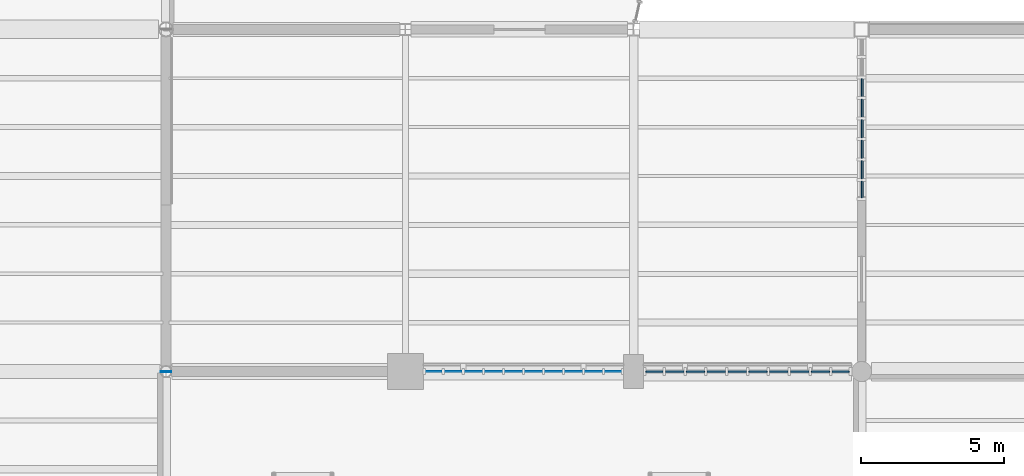
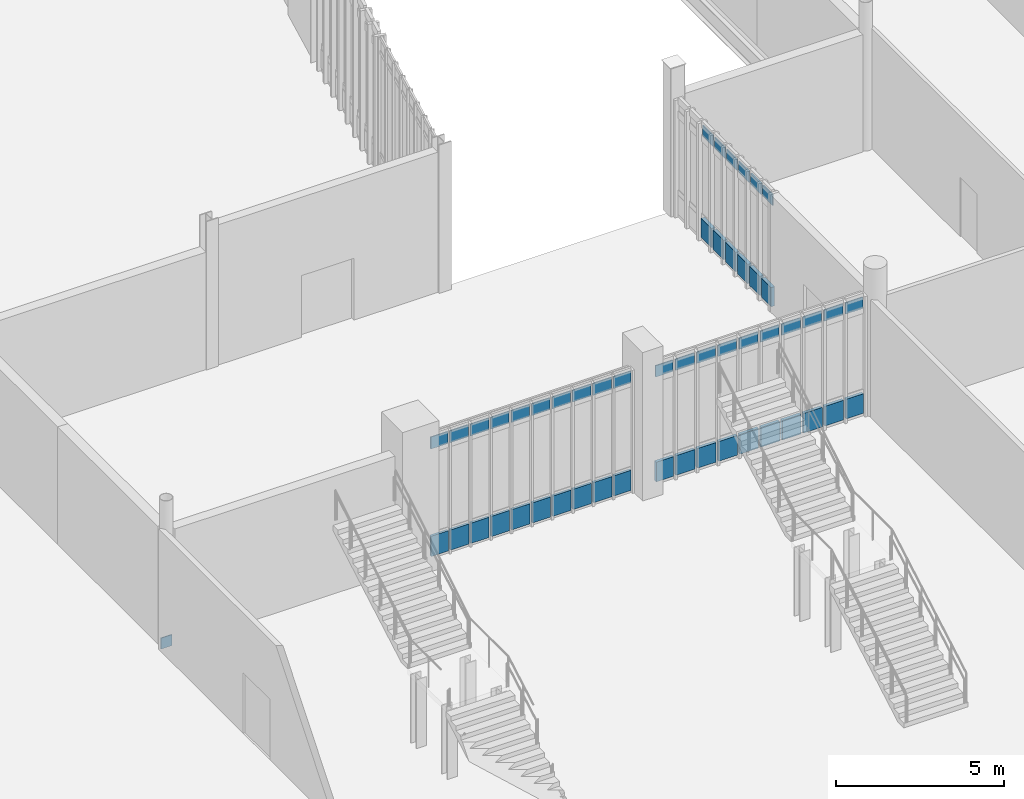
# One storey, part 76 of 111: 53 plates, 3 elements without a shape of their own.
"""IFC4 building model written with IfcOpenShell, lengths in metres."""

from ifc_helpers import new_model, si_unit, direction, frame, origin, origin_2d, place, context, subcontext, project, spatial, rectangle, extrude, material, layer, layer_set, type_object, element, aggregate, save


model = new_model("IFC4")

# Units and contexts
model_context = context("Model", 3, precision=1e-05, world=origin(), true_north=direction((0.0, 1.0)))
body_context = subcontext(model_context, "Body", "Model", "MODEL_VIEW")
ifc_project = project(units=[si_unit("LENGTHUNIT", "METRE"), si_unit("AREAUNIT", "SQUARE_METRE"), si_unit("VOLUMEUNIT", "CUBIC_METRE"), si_unit("PLANEANGLEUNIT", "RADIAN"), si_unit("MASSUNIT", "GRAM", prefix="KILO")], contexts=[model_context])

# Site, building, storey
site_placement = place(None, origin())
site = spatial("IfcSite", under=ifc_project, at=site_placement, CompositionType="ELEMENT")
building_placement = place(site_placement, origin())
building = spatial("IfcBuilding", under=site, at=building_placement, Name="Larkvane Passage Sports Hall", CompositionType="ELEMENT")
storey_placement = place(building_placement, origin())
storey = spatial("IfcBuildingStorey", under=building, at=storey_placement, Name="L00", CompositionType="ELEMENT", Elevation=0.0)

# Curtain wall, plates
ifc_material_1 = material(Name="Thermally broken aluminium and low-E glazing", Category="aluminium")
curtain_wall_type_1 = type_object("IfcCurtainWallType", Name="CW-STICK-FOYER", PredefinedType="USERDEFINED", material=ifc_material_1)
curtain_wall_1_placement = place(storey_placement, origin())
curtain_wall_1 = element("IfcCurtainWall", 1, at=curtain_wall_1_placement, inside=storey, type_object=curtain_wall_type_1, Name="Curtain wall CW5-L00-018", ObjectType="STICK CURTAIN WALL", PredefinedType="USERDEFINED")
ifc_material_2 = material(Name="Fire-stopped shadow-box spandrel panel")
ifc_layer_1 = layer(ifc_material_2, 0.10498046875)
ifc_layer_set_1 = layer_set([ifc_layer_1], Name="Fire-stopped shadow-box spandrel panel")
plate_type_1 = type_object("IfcPlateType", Name="CWP-SPD-105", PredefinedType="CURTAIN_PANEL", material=ifc_layer_set_1)
plate_1_placement = place(storey_placement, frame((110.73388671875, 51.60009765625, 0.08984375), z_axis=(0.0, 0.0, 1.0), x_axis=(1.0, 0.0, 0.0)))
plate_1 = element("IfcPlate", 2, at=plate_1_placement, type_object=plate_type_1, Name="CW-03 panel 1.1", PredefinedType="CURTAIN_PANEL", context=body_context, shape_type="SweptSolid", body=[
    extrude(rectangle(XDim=0.595703125, YDim=0.10498046875, at=origin_2d()), origin(), (0.0, 0.0, 1.0), 0.715087890625),
])
plate_2_placement = place(storey_placement, frame((111.442138671875, 51.60009765625, 0.08984375), z_axis=(0.0, 0.0, 1.0), x_axis=(1.0, 0.0, 0.0)))
plate_2 = element("IfcPlate", 3, at=plate_2_placement, type_object=plate_type_1, Name="CW-03 panel 2.1", PredefinedType="CURTAIN_PANEL", context=body_context, shape_type="SweptSolid", body=[
    extrude(rectangle(XDim=0.640869140625, YDim=0.10498046875, at=origin_2d()), origin(), (0.0, 0.0, 1.0), 0.715087890625),
])
plate_3_placement = place(storey_placement, frame((112.173095703125, 51.60009765625, 0.08984375), z_axis=(0.0, 0.0, 1.0), x_axis=(1.0, 0.0, 0.0)))
plate_3 = element("IfcPlate", 4, at=plate_3_placement, type_object=plate_type_1, Name="CW-03 panel 3.1", PredefinedType="CURTAIN_PANEL", context=body_context, shape_type="SweptSolid", body=[
    extrude(rectangle(XDim=0.640869140625, YDim=0.10498046875, at=origin_2d()), origin(), (0.0, 0.0, 1.0), 0.715087890625),
])
plate_4_placement = place(storey_placement, frame((112.90380859375, 51.60009765625, 0.08984375), z_axis=(0.0, 0.0, 1.0), x_axis=(1.0, 0.0, 0.0)))
plate_4 = element("IfcPlate", 5, at=plate_4_placement, type_object=plate_type_1, Name="CW-03 panel 4.1", PredefinedType="CURTAIN_PANEL", context=body_context, shape_type="SweptSolid", body=[
    extrude(rectangle(XDim=0.640869140625, YDim=0.10498046875, at=origin_2d()), origin(), (0.0, 0.0, 1.0), 0.715087890625),
])
plate_5_placement = place(storey_placement, frame((113.634521484375, 51.60009765625, 0.08984375), z_axis=(0.0, 0.0, 1.0), x_axis=(1.0, 0.0, 0.0)))
plate_5 = element("IfcPlate", 6, at=plate_5_placement, type_object=plate_type_1, Name="CW-03 panel 5.1", PredefinedType="CURTAIN_PANEL", context=body_context, shape_type="SweptSolid", body=[
    extrude(rectangle(XDim=0.640869140625, YDim=0.10498046875, at=origin_2d()), origin(), (0.0, 0.0, 1.0), 0.715087890625),
])
plate_6_placement = place(storey_placement, frame((114.365478515625, 51.60009765625, 0.08984375), z_axis=(0.0, 0.0, 1.0), x_axis=(1.0, 0.0, 0.0)))
plate_6 = element("IfcPlate", 7, at=plate_6_placement, type_object=plate_type_1, Name="CW-03 panel 6.1", PredefinedType="CURTAIN_PANEL", context=body_context, shape_type="SweptSolid", body=[
    extrude(rectangle(XDim=0.640869140625, YDim=0.10498046875, at=origin_2d()), origin(), (0.0, 0.0, 1.0), 0.715087890625),
])
plate_7_placement = place(storey_placement, frame((115.09619140625, 51.60009765625, 0.08984375), z_axis=(0.0, 0.0, 1.0), x_axis=(1.0, 0.0, 0.0)))
plate_7 = element("IfcPlate", 8, at=plate_7_placement, type_object=plate_type_1, Name="CW-03 panel 7.1", PredefinedType="CURTAIN_PANEL", context=body_context, shape_type="SweptSolid", body=[
    extrude(rectangle(XDim=0.640869140625, YDim=0.10498046875, at=origin_2d()), origin(), (0.0, 0.0, 1.0), 0.715087890625),
])
plate_8_placement = place(storey_placement, frame((115.826904296875, 51.60009765625, 0.08984375), z_axis=(0.0, 0.0, 1.0), x_axis=(1.0, 0.0, 0.0)))
plate_8 = element("IfcPlate", 9, at=plate_8_placement, type_object=plate_type_1, Name="CW-03 panel 8.1", PredefinedType="CURTAIN_PANEL", context=body_context, shape_type="SweptSolid", body=[
    extrude(rectangle(XDim=0.640869140625, YDim=0.10498046875, at=origin_2d()), origin(), (0.0, 0.0, 1.0), 0.715087890625),
])
plate_9_placement = place(storey_placement, frame((116.557861328125, 51.60009765625, 0.08984375), z_axis=(0.0, 0.0, 1.0), x_axis=(1.0, 0.0, 0.0)))
plate_9 = element("IfcPlate", 10, at=plate_9_placement, type_object=plate_type_1, Name="CW-03 panel 9.1", PredefinedType="CURTAIN_PANEL", context=body_context, shape_type="SweptSolid", body=[
    extrude(rectangle(XDim=0.640869140625, YDim=0.10498046875, at=origin_2d()), origin(), (0.0, 0.0, 1.0), 0.715087890625),
])
plate_10_placement = place(storey_placement, frame((117.26611328125, 51.60009765625, 0.08984375), z_axis=(0.0, 0.0, 1.0), x_axis=(1.0, 0.0, 0.0)))
plate_10 = element("IfcPlate", 11, at=plate_10_placement, type_object=plate_type_1, Name="CW-03 panel 10.1", PredefinedType="CURTAIN_PANEL", context=body_context, shape_type="SweptSolid", body=[
    extrude(rectangle(XDim=0.595703125, YDim=0.10498046875, at=origin_2d()), origin(), (0.0, 0.0, 1.0), 0.715087890625),
])

curtain_wall_type_2 = type_object("IfcCurtainWallType", Name="CW-CLINIC", PredefinedType="USERDEFINED", material=ifc_material_1)
curtain_wall_2_placement = place(storey_placement, origin())
curtain_wall_2 = element("IfcCurtainWall", 12, at=curtain_wall_2_placement, inside=storey, type_object=curtain_wall_type_2, Name="Curtain wall CW5-L00-019", ObjectType="UNITISED CURTAIN WALL", PredefinedType="USERDEFINED")
ifc_material_3 = material(Name="Deep insulated facade spandrel panel")
ifc_layer_2 = layer(ifc_material_3, 0.125)
ifc_layer_set_2 = layer_set([ifc_layer_2], Name="Deep insulated facade spandrel panel")
plate_type_2 = type_object("IfcPlateType", Name="CWP-SPD-125", PredefinedType="CURTAIN_PANEL", material=ifc_layer_set_2)
plate_11_placement = place(storey_placement, frame((118.0, 57.984619140625, 0.10009765625), z_axis=(0.0, 0.0, 1.0), x_axis=(0.0, 1.0, 0.0)))
plate_11 = element("IfcPlate", 13, at=plate_11_placement, type_object=plate_type_2, Name="CW-05 panel 1.1", PredefinedType="CURTAIN_PANEL", context=body_context, shape_type="SweptSolid", body=[
    extrude(rectangle(XDim=0.5693359375, YDim=0.125, at=origin_2d()), origin(), (0.0, 0.0, 1.0), 0.699951171875),
])
plate_12_placement = place(storey_placement, frame((118.0, 58.678955078125, 0.10009765625), z_axis=(0.0, 0.0, 1.0), x_axis=(0.0, 1.0, 0.0)))
plate_12 = element("IfcPlate", 14, at=plate_12_placement, type_object=plate_type_2, Name="CW-05 panel 2.1", PredefinedType="CURTAIN_PANEL", context=body_context, shape_type="SweptSolid", body=[
    extrude(rectangle(XDim=0.619140625, YDim=0.125, at=origin_2d()), origin(), (0.0, 0.0, 1.0), 0.699951171875),
])
plate_13_placement = place(storey_placement, frame((118.0, 59.398193359375, 0.10009765625), z_axis=(0.0, 0.0, 1.0), x_axis=(0.0, 1.0, 0.0)))
plate_13 = element("IfcPlate", 15, at=plate_13_placement, type_object=plate_type_2, Name="CW-05 panel 3.1", PredefinedType="CURTAIN_PANEL", context=body_context, shape_type="SweptSolid", body=[
    extrude(rectangle(XDim=0.619140625, YDim=0.125, at=origin_2d()), origin(), (0.0, 0.0, 1.0), 0.699951171875),
])
plate_14_placement = place(storey_placement, frame((118.0, 60.117431640625, 0.10009765625), z_axis=(0.0, 0.0, 1.0), x_axis=(0.0, 1.0, 0.0)))
plate_14 = element("IfcPlate", 16, at=plate_14_placement, type_object=plate_type_2, Name="CW-05 panel 4.1", PredefinedType="CURTAIN_PANEL", context=body_context, shape_type="SweptSolid", body=[
    extrude(rectangle(XDim=0.619140625, YDim=0.125, at=origin_2d()), origin(), (0.0, 0.0, 1.0), 0.699951171875),
])
plate_15_placement = place(storey_placement, frame((118.0, 60.836669921875, 0.10009765625), z_axis=(0.0, 0.0, 1.0), x_axis=(0.0, 1.0, 0.0)))
plate_15 = element("IfcPlate", 17, at=plate_15_placement, type_object=plate_type_2, Name="CW-05 panel 5.1", PredefinedType="CURTAIN_PANEL", context=body_context, shape_type="SweptSolid", body=[
    extrude(rectangle(XDim=0.619140625, YDim=0.125, at=origin_2d()), origin(), (0.0, 0.0, 1.0), 0.699951171875),
])
plate_16_placement = place(storey_placement, frame((118.0, 61.555908203125, 0.10009765625), z_axis=(0.0, 0.0, 1.0), x_axis=(0.0, 1.0, 0.0)))
plate_16 = element("IfcPlate", 18, at=plate_16_placement, type_object=plate_type_2, Name="CW-05 panel 6.1", PredefinedType="CURTAIN_PANEL", context=body_context, shape_type="SweptSolid", body=[
    extrude(rectangle(XDim=0.619140625, YDim=0.125, at=origin_2d()), origin(), (0.0, 0.0, 1.0), 0.699951171875),
])

curtain_wall_type_3 = type_object("IfcCurtainWallType", Name="CW-UNIT-VEIL", PredefinedType="USERDEFINED", material=ifc_material_1)
curtain_wall_3_placement = place(storey_placement, origin())
curtain_wall_3 = element("IfcCurtainWall", 19, at=curtain_wall_3_placement, inside=storey, type_object=curtain_wall_type_3, Name="Curtain wall CW5-L00-017", ObjectType="UNITISED CURTAIN WALL", PredefinedType="USERDEFINED")
ifc_material_4 = material(Name="Mineral-wool insulated spandrel cassette")
ifc_layer_3 = layer(ifc_material_4, 0.0849609375)
ifc_layer_set_3 = layer_set([ifc_layer_3], Name="Mineral-wool insulated spandrel cassette")
plate_type_3 = type_object("IfcPlateType", Name="CWP-SPD-85", PredefinedType="CURTAIN_PANEL", material=ifc_layer_set_3)
plate_17_placement = place(storey_placement, frame((102.991455078125, 51.60009765625, 0.0751953125), z_axis=(0.0, 0.0, 1.0), x_axis=(1.0, 0.0, 0.0)))
plate_17 = element("IfcPlate", 20, at=plate_17_placement, type_object=plate_type_3, Name="CW-02 panel 1.1", PredefinedType="CURTAIN_PANEL", context=body_context, shape_type="SweptSolid", body=[
    extrude(rectangle(XDim=0.5908203125, YDim=0.0849609375, at=origin_2d()), origin(), (0.0, 0.0, 1.0), 0.737548828125),
])
plate_18_placement = place(storey_placement, frame((103.676025390625, 51.60009765625, 0.0751953125), z_axis=(0.0, 0.0, 1.0), x_axis=(1.0, 0.0, 0.0)))
plate_18 = element("IfcPlate", 21, at=plate_18_placement, type_object=plate_type_3, Name="CW-02 panel 2.1", PredefinedType="CURTAIN_PANEL", context=body_context, shape_type="SweptSolid", body=[
    extrude(rectangle(XDim=0.62841796875, YDim=0.0849609375, at=origin_2d()), origin(), (0.0, 0.0, 1.0), 0.737548828125),
])
plate_19_placement = place(storey_placement, frame((104.379150390625, 51.60009765625, 0.0751953125), z_axis=(0.0, 0.0, 1.0), x_axis=(1.0, 0.0, 0.0)))
plate_19 = element("IfcPlate", 22, at=plate_19_placement, type_object=plate_type_3, Name="CW-02 panel 3.1", PredefinedType="CURTAIN_PANEL", context=body_context, shape_type="SweptSolid", body=[
    extrude(rectangle(XDim=0.62841796875, YDim=0.0849609375, at=origin_2d()), origin(), (0.0, 0.0, 1.0), 0.737548828125),
])
plate_20_placement = place(storey_placement, frame((105.08251953125, 51.60009765625, 0.0751953125), z_axis=(0.0, 0.0, 1.0), x_axis=(1.0, 0.0, 0.0)))
plate_20 = element("IfcPlate", 23, at=plate_20_placement, type_object=plate_type_3, Name="CW-02 panel 4.1", PredefinedType="CURTAIN_PANEL", context=body_context, shape_type="SweptSolid", body=[
    extrude(rectangle(XDim=0.62841796875, YDim=0.0849609375, at=origin_2d()), origin(), (0.0, 0.0, 1.0), 0.737548828125),
])
plate_21_placement = place(storey_placement, frame((105.785888671875, 51.60009765625, 0.0751953125), z_axis=(0.0, 0.0, 1.0), x_axis=(1.0, 0.0, 0.0)))
plate_21 = element("IfcPlate", 24, at=plate_21_placement, type_object=plate_type_3, Name="CW-02 panel 5.1", PredefinedType="CURTAIN_PANEL", context=body_context, shape_type="SweptSolid", body=[
    extrude(rectangle(XDim=0.62841796875, YDim=0.0849609375, at=origin_2d()), origin(), (0.0, 0.0, 1.0), 0.737548828125),
])
plate_22_placement = place(storey_placement, frame((106.4892578125, 51.60009765625, 0.0751953125), z_axis=(0.0, 0.0, 1.0), x_axis=(1.0, 0.0, 0.0)))
plate_22 = element("IfcPlate", 25, at=plate_22_placement, type_object=plate_type_3, Name="CW-02 panel 6.1", PredefinedType="CURTAIN_PANEL", context=body_context, shape_type="SweptSolid", body=[
    extrude(rectangle(XDim=0.62841796875, YDim=0.0849609375, at=origin_2d()), origin(), (0.0, 0.0, 1.0), 0.737548828125),
])
plate_23_placement = place(storey_placement, frame((107.1923828125, 51.60009765625, 0.0751953125), z_axis=(0.0, 0.0, 1.0), x_axis=(1.0, 0.0, 0.0)))
plate_23 = element("IfcPlate", 26, at=plate_23_placement, type_object=plate_type_3, Name="CW-02 panel 7.1", PredefinedType="CURTAIN_PANEL", context=body_context, shape_type="SweptSolid", body=[
    extrude(rectangle(XDim=0.62841796875, YDim=0.0849609375, at=origin_2d()), origin(), (0.0, 0.0, 1.0), 0.737548828125),
])
plate_24_placement = place(storey_placement, frame((107.895751953125, 51.60009765625, 0.0751953125), z_axis=(0.0, 0.0, 1.0), x_axis=(1.0, 0.0, 0.0)))
plate_24 = element("IfcPlate", 27, at=plate_24_placement, type_object=plate_type_3, Name="CW-02 panel 8.1", PredefinedType="CURTAIN_PANEL", context=body_context, shape_type="SweptSolid", body=[
    extrude(rectangle(XDim=0.62841796875, YDim=0.0849609375, at=origin_2d()), origin(), (0.0, 0.0, 1.0), 0.737548828125),
])
plate_25_placement = place(storey_placement, frame((108.59912109375, 51.60009765625, 0.0751953125), z_axis=(0.0, 0.0, 1.0), x_axis=(1.0, 0.0, 0.0)))
plate_25 = element("IfcPlate", 28, at=plate_25_placement, type_object=plate_type_3, Name="CW-02 panel 9.1", PredefinedType="CURTAIN_PANEL", context=body_context, shape_type="SweptSolid", body=[
    extrude(rectangle(XDim=0.62841796875, YDim=0.0849609375, at=origin_2d()), origin(), (0.0, 0.0, 1.0), 0.737548828125),
])
plate_26_placement = place(storey_placement, frame((109.28369140625, 51.60009765625, 0.0751953125), z_axis=(0.0, 0.0, 1.0), x_axis=(1.0, 0.0, 0.0)))
plate_26 = element("IfcPlate", 29, at=plate_26_placement, type_object=plate_type_3, Name="CW-02 panel 10.1", PredefinedType="CURTAIN_PANEL", context=body_context, shape_type="SweptSolid", body=[
    extrude(rectangle(XDim=0.5908203125, YDim=0.0849609375, at=origin_2d()), origin(), (0.0, 0.0, 1.0), 0.737548828125),
])
ifc_material_5 = material(Name="Laminated acoustic low-E glazing", Category="glass")
ifc_layer_4 = layer(ifc_material_5, 0.031982421875)
ifc_layer_set_4 = layer_set([ifc_layer_4], Name="Laminated acoustic low-E glazing")
plate_type_4 = type_object("IfcPlateType", Name="CWP-VIS-32", PredefinedType="CURTAIN_PANEL", material=ifc_layer_set_4)
plate_27_placement = place(storey_placement, frame((102.991455078125, 51.60009765625, 3.967529296875), z_axis=(0.0, 0.0, 1.0), x_axis=(1.0, 0.0, 0.0)))
plate_27 = element("IfcPlate", 30, at=plate_27_placement, type_object=plate_type_4, Name="CW-02 panel 1.3", PredefinedType="CURTAIN_PANEL", context=body_context, shape_type="SweptSolid", body=[
    extrude(rectangle(XDim=0.5908203125, YDim=0.031982421875, at=origin_2d()), origin(), (0.0, 0.0, 1.0), 0.4375),
])
plate_28_placement = place(storey_placement, frame((103.676025390625, 51.60009765625, 3.967529296875), z_axis=(0.0, 0.0, 1.0), x_axis=(1.0, 0.0, 0.0)))
plate_28 = element("IfcPlate", 31, at=plate_28_placement, type_object=plate_type_4, Name="CW-02 panel 2.3", PredefinedType="CURTAIN_PANEL", context=body_context, shape_type="SweptSolid", body=[
    extrude(rectangle(XDim=0.62841796875, YDim=0.031982421875, at=origin_2d()), origin(), (0.0, 0.0, 1.0), 0.4375),
])
plate_29_placement = place(storey_placement, frame((104.379150390625, 51.60009765625, 3.967529296875), z_axis=(0.0, 0.0, 1.0), x_axis=(1.0, 0.0, 0.0)))
plate_29 = element("IfcPlate", 32, at=plate_29_placement, type_object=plate_type_4, Name="CW-02 panel 3.3", PredefinedType="CURTAIN_PANEL", context=body_context, shape_type="SweptSolid", body=[
    extrude(rectangle(XDim=0.62841796875, YDim=0.031982421875, at=origin_2d()), origin(), (0.0, 0.0, 1.0), 0.4375),
])
plate_30_placement = place(storey_placement, frame((105.08251953125, 51.60009765625, 3.967529296875), z_axis=(0.0, 0.0, 1.0), x_axis=(1.0, 0.0, 0.0)))
plate_30 = element("IfcPlate", 33, at=plate_30_placement, type_object=plate_type_4, Name="CW-02 panel 4.3", PredefinedType="CURTAIN_PANEL", context=body_context, shape_type="SweptSolid", body=[
    extrude(rectangle(XDim=0.62841796875, YDim=0.031982421875, at=origin_2d()), origin(), (0.0, 0.0, 1.0), 0.4375),
])
plate_31_placement = place(storey_placement, frame((105.785888671875, 51.60009765625, 3.967529296875), z_axis=(0.0, 0.0, 1.0), x_axis=(1.0, 0.0, 0.0)))
plate_31 = element("IfcPlate", 34, at=plate_31_placement, type_object=plate_type_4, Name="CW-02 panel 5.3", PredefinedType="CURTAIN_PANEL", context=body_context, shape_type="SweptSolid", body=[
    extrude(rectangle(XDim=0.62841796875, YDim=0.031982421875, at=origin_2d()), origin(), (0.0, 0.0, 1.0), 0.4375),
])
plate_32_placement = place(storey_placement, frame((106.4892578125, 51.60009765625, 3.967529296875), z_axis=(0.0, 0.0, 1.0), x_axis=(1.0, 0.0, 0.0)))
plate_32 = element("IfcPlate", 35, at=plate_32_placement, type_object=plate_type_4, Name="CW-02 panel 6.3", PredefinedType="CURTAIN_PANEL", context=body_context, shape_type="SweptSolid", body=[
    extrude(rectangle(XDim=0.62841796875, YDim=0.031982421875, at=origin_2d()), origin(), (0.0, 0.0, 1.0), 0.4375),
])
plate_33_placement = place(storey_placement, frame((107.1923828125, 51.60009765625, 3.967529296875), z_axis=(0.0, 0.0, 1.0), x_axis=(1.0, 0.0, 0.0)))
plate_33 = element("IfcPlate", 36, at=plate_33_placement, type_object=plate_type_4, Name="CW-02 panel 7.3", PredefinedType="CURTAIN_PANEL", context=body_context, shape_type="SweptSolid", body=[
    extrude(rectangle(XDim=0.62841796875, YDim=0.031982421875, at=origin_2d()), origin(), (0.0, 0.0, 1.0), 0.4375),
])
plate_34_placement = place(storey_placement, frame((107.895751953125, 51.60009765625, 3.967529296875), z_axis=(0.0, 0.0, 1.0), x_axis=(1.0, 0.0, 0.0)))
plate_34 = element("IfcPlate", 37, at=plate_34_placement, type_object=plate_type_4, Name="CW-02 panel 8.3", PredefinedType="CURTAIN_PANEL", context=body_context, shape_type="SweptSolid", body=[
    extrude(rectangle(XDim=0.62841796875, YDim=0.031982421875, at=origin_2d()), origin(), (0.0, 0.0, 1.0), 0.4375),
])
plate_35_placement = place(storey_placement, frame((108.59912109375, 51.60009765625, 3.967529296875), z_axis=(0.0, 0.0, 1.0), x_axis=(1.0, 0.0, 0.0)))
plate_35 = element("IfcPlate", 38, at=plate_35_placement, type_object=plate_type_4, Name="CW-02 panel 9.3", PredefinedType="CURTAIN_PANEL", context=body_context, shape_type="SweptSolid", body=[
    extrude(rectangle(XDim=0.62841796875, YDim=0.031982421875, at=origin_2d()), origin(), (0.0, 0.0, 1.0), 0.4375),
])
plate_36_placement = place(storey_placement, frame((109.28369140625, 51.60009765625, 3.967529296875), z_axis=(0.0, 0.0, 1.0), x_axis=(1.0, 0.0, 0.0)))
plate_36 = element("IfcPlate", 39, at=plate_36_placement, type_object=plate_type_4, Name="CW-02 panel 10.3", PredefinedType="CURTAIN_PANEL", context=body_context, shape_type="SweptSolid", body=[
    extrude(rectangle(XDim=0.5908203125, YDim=0.031982421875, at=origin_2d()), origin(), (0.0, 0.0, 1.0), 0.4375),
])
aggregate(curtain_wall_3, [plate_17, plate_27, plate_18, plate_28, plate_19, plate_29, plate_20, plate_30, plate_21, plate_31, plate_22, plate_32, plate_23, plate_33, plate_24, plate_34, plate_25, plate_35, plate_26, plate_36])

# Plate
ifc_material_6 = material(Name="High-impact court low-E glazing", Category="glass")
ifc_layer_5 = layer(ifc_material_6, 0.035888671875)
ifc_layer_set_5 = layer_set([ifc_layer_5], Name="High-impact court low-E glazing")
plate_type_5 = type_object("IfcPlateType", Name="CWP-VIS-36", PredefinedType="CURTAIN_PANEL", material=ifc_layer_set_5)
plate_37_placement = place(storey_placement, frame((110.73388671875, 51.60009765625, 3.880859375), z_axis=(0.0, 0.0, 1.0), x_axis=(1.0, 0.0, 0.0)))
plate_37 = element("IfcPlate", 40, at=plate_37_placement, type_object=plate_type_5, Name="CW-03 panel 1.3", PredefinedType="CURTAIN_PANEL", context=body_context, shape_type="SweptSolid", body=[
    extrude(rectangle(XDim=0.595703125, YDim=0.035888671875, at=origin_2d()), origin(), (0.0, 0.0, 1.0), 0.4150390625),
])

plate_38_placement = place(storey_placement, frame((111.442138671875, 51.60009765625, 3.880859375), z_axis=(0.0, 0.0, 1.0), x_axis=(1.0, 0.0, 0.0)))
plate_38 = element("IfcPlate", 41, at=plate_38_placement, type_object=plate_type_5, Name="CW-03 panel 2.3", PredefinedType="CURTAIN_PANEL", context=body_context, shape_type="SweptSolid", body=[
    extrude(rectangle(XDim=0.640869140625, YDim=0.035888671875, at=origin_2d()), origin(), (0.0, 0.0, 1.0), 0.4150390625),
])

plate_39_placement = place(storey_placement, frame((112.173095703125, 51.60009765625, 3.880859375), z_axis=(0.0, 0.0, 1.0), x_axis=(1.0, 0.0, 0.0)))
plate_39 = element("IfcPlate", 42, at=plate_39_placement, type_object=plate_type_5, Name="CW-03 panel 3.3", PredefinedType="CURTAIN_PANEL", context=body_context, shape_type="SweptSolid", body=[
    extrude(rectangle(XDim=0.640869140625, YDim=0.035888671875, at=origin_2d()), origin(), (0.0, 0.0, 1.0), 0.4150390625),
])

plate_40_placement = place(storey_placement, frame((112.90380859375, 51.60009765625, 3.880859375), z_axis=(0.0, 0.0, 1.0), x_axis=(1.0, 0.0, 0.0)))
plate_40 = element("IfcPlate", 43, at=plate_40_placement, type_object=plate_type_5, Name="CW-03 panel 4.3", PredefinedType="CURTAIN_PANEL", context=body_context, shape_type="SweptSolid", body=[
    extrude(rectangle(XDim=0.640869140625, YDim=0.035888671875, at=origin_2d()), origin(), (0.0, 0.0, 1.0), 0.4150390625),
])

plate_41_placement = place(storey_placement, frame((113.634521484375, 51.60009765625, 3.880859375), z_axis=(0.0, 0.0, 1.0), x_axis=(1.0, 0.0, 0.0)))
plate_41 = element("IfcPlate", 44, at=plate_41_placement, type_object=plate_type_5, Name="CW-03 panel 5.3", PredefinedType="CURTAIN_PANEL", context=body_context, shape_type="SweptSolid", body=[
    extrude(rectangle(XDim=0.640869140625, YDim=0.035888671875, at=origin_2d()), origin(), (0.0, 0.0, 1.0), 0.4150390625),
])

plate_42_placement = place(storey_placement, frame((114.365478515625, 51.60009765625, 3.880859375), z_axis=(0.0, 0.0, 1.0), x_axis=(1.0, 0.0, 0.0)))
plate_42 = element("IfcPlate", 45, at=plate_42_placement, type_object=plate_type_5, Name="CW-03 panel 6.3", PredefinedType="CURTAIN_PANEL", context=body_context, shape_type="SweptSolid", body=[
    extrude(rectangle(XDim=0.640869140625, YDim=0.035888671875, at=origin_2d()), origin(), (0.0, 0.0, 1.0), 0.4150390625),
])

plate_43_placement = place(storey_placement, frame((115.09619140625, 51.60009765625, 3.880859375), z_axis=(0.0, 0.0, 1.0), x_axis=(1.0, 0.0, 0.0)))
plate_43 = element("IfcPlate", 46, at=plate_43_placement, type_object=plate_type_5, Name="CW-03 panel 7.3", PredefinedType="CURTAIN_PANEL", context=body_context, shape_type="SweptSolid", body=[
    extrude(rectangle(XDim=0.640869140625, YDim=0.035888671875, at=origin_2d()), origin(), (0.0, 0.0, 1.0), 0.4150390625),
])

plate_44_placement = place(storey_placement, frame((115.826904296875, 51.60009765625, 3.880859375), z_axis=(0.0, 0.0, 1.0), x_axis=(1.0, 0.0, 0.0)))
plate_44 = element("IfcPlate", 47, at=plate_44_placement, type_object=plate_type_5, Name="CW-03 panel 8.3", PredefinedType="CURTAIN_PANEL", context=body_context, shape_type="SweptSolid", body=[
    extrude(rectangle(XDim=0.640869140625, YDim=0.035888671875, at=origin_2d()), origin(), (0.0, 0.0, 1.0), 0.4150390625),
])

plate_45_placement = place(storey_placement, frame((116.557861328125, 51.60009765625, 3.880859375), z_axis=(0.0, 0.0, 1.0), x_axis=(1.0, 0.0, 0.0)))
plate_45 = element("IfcPlate", 48, at=plate_45_placement, type_object=plate_type_5, Name="CW-03 panel 9.3", PredefinedType="CURTAIN_PANEL", context=body_context, shape_type="SweptSolid", body=[
    extrude(rectangle(XDim=0.640869140625, YDim=0.035888671875, at=origin_2d()), origin(), (0.0, 0.0, 1.0), 0.4150390625),
])

plate_46_placement = place(storey_placement, frame((117.26611328125, 51.60009765625, 3.880859375), z_axis=(0.0, 0.0, 1.0), x_axis=(1.0, 0.0, 0.0)))
plate_46 = element("IfcPlate", 49, at=plate_46_placement, type_object=plate_type_5, Name="CW-03 panel 10.3", PredefinedType="CURTAIN_PANEL", context=body_context, shape_type="SweptSolid", body=[
    extrude(rectangle(XDim=0.595703125, YDim=0.035888671875, at=origin_2d()), origin(), (0.0, 0.0, 1.0), 0.4150390625),
])

aggregate(curtain_wall_1, [plate_1, plate_37, plate_2, plate_38, plate_3, plate_39, plate_4, plate_40, plate_5, plate_41, plate_6, plate_42, plate_7, plate_43, plate_8, plate_44, plate_9, plate_45, plate_10, plate_46])

ifc_material_7 = material(Name="Triple-laminated typhoon glazing", Category="glass")
ifc_layer_6 = layer(ifc_material_7, 0.0419921875)
ifc_layer_set_6 = layer_set([ifc_layer_6], Name="Triple-laminated typhoon glazing")
plate_type_6 = type_object("IfcPlateType", Name="CWP-VIS-42", PredefinedType="CURTAIN_PANEL", material=ifc_layer_set_6)
plate_47_placement = place(storey_placement, frame((118.0, 57.984619140625, 3.76806640625), z_axis=(0.0, 0.0, 1.0), x_axis=(0.0, 1.0, 0.0)))
plate_47 = element("IfcPlate", 50, at=plate_47_placement, type_object=plate_type_6, Name="CW-05 panel 1.3", PredefinedType="CURTAIN_PANEL", context=body_context, shape_type="SweptSolid", body=[
    extrude(rectangle(XDim=0.5693359375, YDim=0.0419921875, at=origin_2d()), origin(), (0.0, 0.0, 1.0), 0.39990234375),
])

plate_48_placement = place(storey_placement, frame((118.0, 58.678955078125, 3.76806640625), z_axis=(0.0, 0.0, 1.0), x_axis=(0.0, 1.0, 0.0)))
plate_48 = element("IfcPlate", 51, at=plate_48_placement, type_object=plate_type_6, Name="CW-05 panel 2.3", PredefinedType="CURTAIN_PANEL", context=body_context, shape_type="SweptSolid", body=[
    extrude(rectangle(XDim=0.619140625, YDim=0.0419921875, at=origin_2d()), origin(), (0.0, 0.0, 1.0), 0.39990234375),
])

plate_49_placement = place(storey_placement, frame((118.0, 59.398193359375, 3.76806640625), z_axis=(0.0, 0.0, 1.0), x_axis=(0.0, 1.0, 0.0)))
plate_49 = element("IfcPlate", 52, at=plate_49_placement, type_object=plate_type_6, Name="CW-05 panel 3.3", PredefinedType="CURTAIN_PANEL", context=body_context, shape_type="SweptSolid", body=[
    extrude(rectangle(XDim=0.619140625, YDim=0.0419921875, at=origin_2d()), origin(), (0.0, 0.0, 1.0), 0.39990234375),
])

plate_50_placement = place(storey_placement, frame((118.0, 60.117431640625, 3.76806640625), z_axis=(0.0, 0.0, 1.0), x_axis=(0.0, 1.0, 0.0)))
plate_50 = element("IfcPlate", 53, at=plate_50_placement, type_object=plate_type_6, Name="CW-05 panel 4.3", PredefinedType="CURTAIN_PANEL", context=body_context, shape_type="SweptSolid", body=[
    extrude(rectangle(XDim=0.619140625, YDim=0.0419921875, at=origin_2d()), origin(), (0.0, 0.0, 1.0), 0.39990234375),
])

plate_51_placement = place(storey_placement, frame((118.0, 60.836669921875, 3.76806640625), z_axis=(0.0, 0.0, 1.0), x_axis=(0.0, 1.0, 0.0)))
plate_51 = element("IfcPlate", 54, at=plate_51_placement, type_object=plate_type_6, Name="CW-05 panel 5.3", PredefinedType="CURTAIN_PANEL", context=body_context, shape_type="SweptSolid", body=[
    extrude(rectangle(XDim=0.619140625, YDim=0.0419921875, at=origin_2d()), origin(), (0.0, 0.0, 1.0), 0.39990234375),
])

plate_52_placement = place(storey_placement, frame((118.0, 61.555908203125, 3.76806640625), z_axis=(0.0, 0.0, 1.0), x_axis=(0.0, 1.0, 0.0)))
plate_52 = element("IfcPlate", 55, at=plate_52_placement, type_object=plate_type_6, Name="CW-05 panel 6.3", PredefinedType="CURTAIN_PANEL", context=body_context, shape_type="SweptSolid", body=[
    extrude(rectangle(XDim=0.619140625, YDim=0.0419921875, at=origin_2d()), origin(), (0.0, 0.0, 1.0), 0.39990234375),
])

aggregate(curtain_wall_2, [plate_11, plate_47, plate_12, plate_48, plate_13, plate_49, plate_14, plate_50, plate_15, plate_51, plate_16, plate_52])

ifc_material_8 = material(Name="Steel S460N", Category="steel")
ifc_layer_7 = layer(ifc_material_8, 0.02001953125)
ifc_layer_set_7 = layer_set([ifc_layer_7], Name="Steel S460N")
plate_type_7 = type_object("IfcPlateType", Name="PLT-CAP-20", PredefinedType="SHEET", material=ifc_layer_set_7)
plate_53_placement = place(storey_placement, frame((93.60009765625, 51.5908203125, -0.0546875), z_axis=(0.0, 0.0, 1.0), x_axis=(-1.0, 0.0, 0.0)))
element("IfcPlate", 56, at=plate_53_placement, inside=storey, type_object=plate_type_7, Name="Hollow section sealed end cap plate 0572", PredefinedType="SHEET", context=body_context, shape_type="SweptSolid", body=[
    extrude(rectangle(XDim=0.37890625, YDim=0.028076171875, at=origin_2d()), origin(), (0.0, 0.0, 1.0), 0.402099609375),
])

save(model, "model.ifc")
